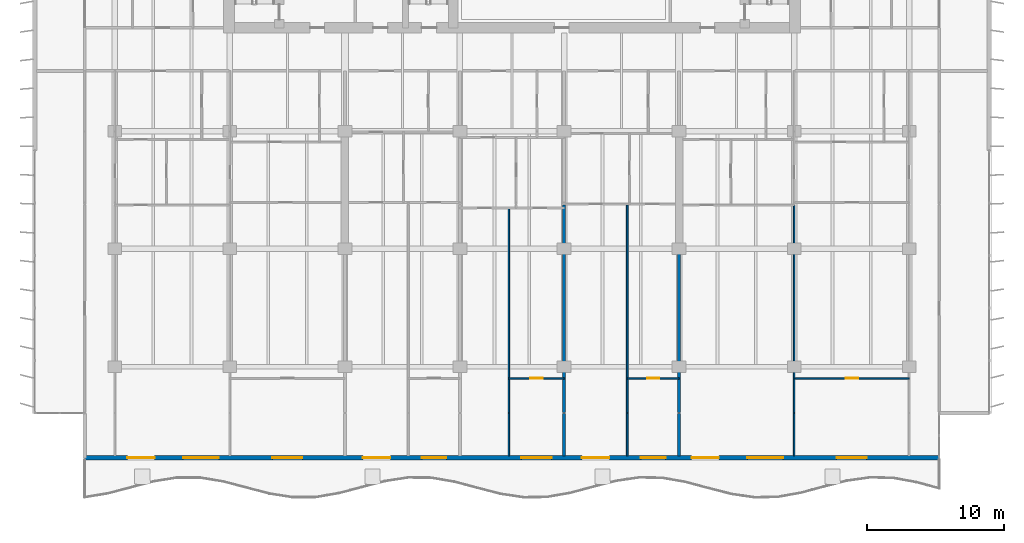
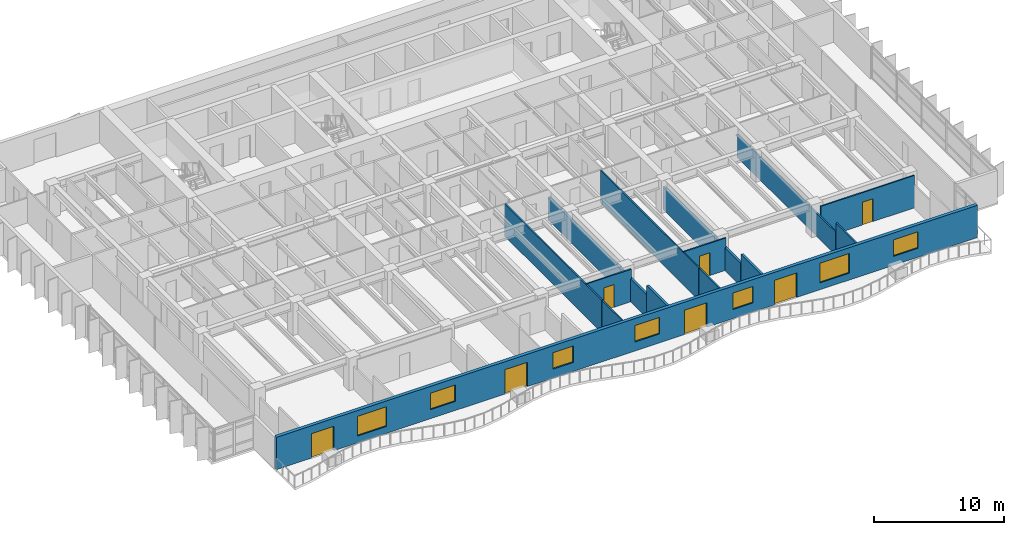
# One storey, part 8 of 19: 14 walls, 7 doors, 7 windows, 14 openings.
"""IFC4 building model written with IfcOpenShell, lengths in metres."""

import ifcopenshell
import ifcopenshell.guid

model = None  # the IFC model being written
_history = None  # IfcOwnerHistory: only IFC2X3 demands one
_inside = {}  # id of a spatial element -> (the spatial element, [elements in it])
_under = {}  # id of a project, library or spatial element -> (it, [spatial elements below it])
_declared = {}  # id of a project -> (the project, [libraries it declares])
_typed = {}  # id of a type object -> (the type object, [elements of that type])
_made_of = {}  # id of a material, layer set ... -> (it, [elements and type objects made of it])


def new_model(schema):
    """Start an empty IFC model of exactly this schema.

    Asked for "IFC4X3", IfcOpenShell would pick the latest addendum, in which some entities
    have other attributes; the version numbers below select the first issue.
    IFC2X3 requires an IfcOwnerHistory on every rooted entity: one is made here for all.
    """
    global model, _history
    if schema == "IFC4X3":
        model = ifcopenshell.file(schema_version=(4, 3, 0, 0))
    else:
        model = ifcopenshell.file(schema=schema)
    _inside.clear()
    _under.clear()
    _declared.clear()
    _typed.clear()
    _made_of.clear()
    _history = None
    if model.schema == "IFC2X3":
        org = make("IfcOrganization", Name="unknown")
        user = make(
            "IfcPersonAndOrganization",
            ThePerson=make("IfcPerson", FamilyName="unknown"),
            TheOrganization=org,
        )
        app = make(
            "IfcApplication",
            ApplicationDeveloper=org,
            Version="unknown",
            ApplicationFullName="unknown",
            ApplicationIdentifier="unknown",
        )
        _history = make(
            "IfcOwnerHistory",
            OwningUser=user,
            OwningApplication=app,
            ChangeAction="ADDED",
            CreationDate=0,
        )
    return model


def make(cls, **values):
    """One entity of the class cls with the attributes given. An attribute that is None is left unset."""
    return model.create_entity(
        cls, **{name: value for name, value in values.items() if value is not None}
    )


def rooted(cls, **values):
    """An entity with a GlobalId (a new one), such as an element, a storey or a relation."""
    return make(cls, GlobalId=ifcopenshell.guid.new(), OwnerHistory=_history, **values)


def si_unit(unit_type, name, prefix=None):
    """IfcSIUnit, for example si_unit("LENGTHUNIT", "METRE", prefix="MILLI")."""
    return make("IfcSIUnit", UnitType=unit_type, Prefix=prefix, Name=name)


def assignment(units):
    """IfcUnitAssignment: the units of a project."""
    return None if units is None else make("IfcUnitAssignment", Units=units)


def point(xyz):
    """IfcCartesianPoint."""
    return None if xyz is None else make("IfcCartesianPoint", Coordinates=xyz)


def direction(xyz):
    """IfcDirection."""
    return None if xyz is None else make("IfcDirection", DirectionRatios=xyz)


def frame(location, z_axis=None, x_axis=None):
    """IfcAxis2Placement3D, a coordinate frame: its origin and axes. An axis left out is left unset."""
    return make(
        "IfcAxis2Placement3D",
        Location=point(location),
        Axis=direction(z_axis),
        RefDirection=direction(x_axis),
    )


def frame_2d(location, x_axis=None):
    """IfcAxis2Placement2D, a coordinate frame in the plane: its origin and x axis."""
    return make(
        "IfcAxis2Placement2D", Location=point(location), RefDirection=direction(x_axis)
    )


def origin():
    """The frame at (0, 0, 0) with its axes left unset."""
    return frame((0.0, 0.0, 0.0))


def place(relative_to, where):
    """IfcLocalPlacement: puts the frame where relative to a parent placement (None: the world)."""
    return make(
        "IfcLocalPlacement", PlacementRelTo=relative_to, RelativePlacement=where
    )


def context(
    kind, dimensions, precision=None, world=None, true_north=None, identifier=None
):
    """IfcGeometricRepresentationContext, for example the 3D "Model" context."""
    return make(
        "IfcGeometricRepresentationContext",
        ContextIdentifier=identifier,
        ContextType=kind,
        CoordinateSpaceDimension=dimensions,
        Precision=precision,
        WorldCoordinateSystem=world,
        TrueNorth=true_north,
    )


def subcontext(parent, identifier, kind, view, scale=None):
    """IfcGeometricRepresentationSubContext, for example "Body" below "Model"."""
    return make(
        "IfcGeometricRepresentationSubContext",
        ContextIdentifier=identifier,
        ContextType=kind,
        ParentContext=parent,
        TargetScale=scale,
        TargetView=view,
    )


def project(units=None, contexts=None):
    """IfcProject with its units and contexts."""
    return rooted(
        "IfcProject",
        Name="project",
        RepresentationContexts=contexts,
        UnitsInContext=assignment(units),
    )


def spatial(cls, under=None, at=None, **own):
    """A site, building, storey or space (cls), placed at a placement, below another one or the project."""
    s = rooted(cls, ObjectPlacement=at, **own)
    if under is not None:
        _under.setdefault(under.id(), (under, []))[1].append(s)
    return s


def profile(cls, at=None, kind="AREA", **sizes):
    """A parametric profile (cls). Its sizes go by their IFC names, for example OverallWidth=200.0."""
    return make(cls, ProfileType=kind, Position=at, **sizes)


def rectangle(**sizes):
    """IfcRectangleProfileDef."""
    return profile("IfcRectangleProfileDef", **sizes)


def extrude(swept, where, along, depth):
    """IfcExtrudedAreaSolid: the profile swept, set in the frame where, extruded along a direction by depth."""
    return make(
        "IfcExtrudedAreaSolid",
        SweptArea=swept,
        Position=where,
        ExtrudedDirection=direction(along),
        Depth=depth,
    )


def shape(context_of_items, identifier, shape_type, items):
    """IfcShapeRepresentation: the items that make up one representation, for example the "Body"."""
    return make(
        "IfcShapeRepresentation",
        ContextOfItems=context_of_items,
        RepresentationIdentifier=identifier,
        RepresentationType=shape_type,
        Items=items,
    )


def material(Name=None, Category=None):
    """IfcMaterial."""
    return make("IfcMaterial", Name=Name, Category=Category)


def layer(
    of_material, thickness, ventilated=None, Name=None, Category=None, Priority=None
):
    """IfcMaterialLayer: one layer of a wall or slab, of a material (None: an air gap)."""
    return make(
        "IfcMaterialLayer",
        Material=of_material,
        LayerThickness=thickness,
        IsVentilated=ventilated,
        Name=Name,
        Category=Category,
        Priority=Priority,
    )


def layer_set(layers, Name=None):
    """IfcMaterialLayerSet."""
    return make("IfcMaterialLayerSet", MaterialLayers=layers, LayerSetName=Name)


def made_of(thing, what):
    """Note that an element or type object is made of a material, layer set ...; save() writes the relation."""
    if what is not None:
        _made_of.setdefault(what.id(), (what, []))[1].append(thing)
    return thing


def type_object(cls, material=None, **own):
    """A type object (cls), such as IfcWallType, which elements share."""
    return made_of(rooted(cls, **own), material)


def element(
    cls,
    number,
    at=None,
    inside=None,
    cuts=None,
    type_object=None,
    material=None,
    context=None,
    identifier="Body",
    shape_type=None,
    held_by="IfcProductDefinitionShape",
    body=None,
    shapes=None,
    **own,
):
    """One element of the class cls, such as IfcWall. Its Tag is "e" and its number.

    at: its placement. inside: the storey or other place that contains it. cuts: it is an
    opening in that element (IfcRelVoidsElement). A single representation is given by context,
    identifier, shape_type and body (its items); several are given by shapes. held_by: the class
    of the entity that holds the representations. save() writes the other relations.
    """
    e = rooted(cls, Tag="e%d" % number, ObjectPlacement=at, **own)
    if body is not None:
        shapes = [shape(context, identifier, shape_type, body)]
    if shapes is not None:
        e.Representation = make(held_by, Representations=shapes)
    if inside is not None:
        _inside.setdefault(inside.id(), (inside, []))[1].append(e)
    if cuts is not None:
        rooted(
            "IfcRelVoidsElement", RelatingBuildingElement=cuts, RelatedOpeningElement=e
        )
    if type_object is not None:
        _typed.setdefault(type_object.id(), (type_object, []))[1].append(e)
    return made_of(e, material)


def fill(opening, filler):
    """IfcRelFillsElement: the door or window that sits in an opening."""
    return rooted(
        "IfcRelFillsElement",
        RelatingOpeningElement=opening,
        RelatedBuildingElement=filler,
    )


def aggregate(whole, parts):
    """IfcRelAggregates: a whole, such as a stair, and the parts it consists of."""
    return rooted("IfcRelAggregates", RelatingObject=whole, RelatedObjects=parts)


def save(model, path):
    """Write the relations noted so far, then the file.

    IfcRelAggregates (storeys below a building ...), IfcRelContainedInSpatialStructure (elements
    in a storey), IfcRelDefinesByType, IfcRelAssociatesMaterial and IfcRelDeclares: one each for
    every whole, place, type object, material and project.
    """
    for whole, parts in _under.values():
        aggregate(whole, parts)
    for where, things in _inside.values():
        rooted(
            "IfcRelContainedInSpatialStructure",
            RelatedElements=things,
            RelatingStructure=where,
        )
    for kind, things in _typed.values():
        rooted("IfcRelDefinesByType", RelatedObjects=things, RelatingType=kind)
    for what, things in _made_of.values():
        rooted("IfcRelAssociatesMaterial", RelatedObjects=things, RelatingMaterial=what)
    for by, libraries in _declared.values():
        rooted("IfcRelDeclares", RelatingContext=by, RelatedDefinitions=libraries)
    model.write(path)


model = new_model("IFC4")

# Units and contexts
model_context = context("Model", 3, precision=1e-05, world=origin(), true_north=direction((0.0, 1.0)))
body_context = subcontext(model_context, "Body", "Model", "MODEL_VIEW")
ifc_project = project(units=[si_unit("LENGTHUNIT", "METRE"), si_unit("AREAUNIT", "SQUARE_METRE"), si_unit("VOLUMEUNIT", "CUBIC_METRE"), si_unit("PLANEANGLEUNIT", "RADIAN"), si_unit("MASSUNIT", "GRAM", prefix="KILO")], contexts=[model_context])

# Site, building, storey
site_placement = place(None, origin())
site = spatial("IfcSite", under=ifc_project, at=site_placement, CompositionType="ELEMENT")
building_placement = place(site_placement, origin())
building = spatial("IfcBuilding", under=site, at=building_placement, Name="Caelmar Bay Residences", CompositionType="ELEMENT")
storey_placement = place(building_placement, frame((0.0, 0.0, 91.199951171875)))
storey = spatial("IfcBuildingStorey", under=building, at=storey_placement, Name="L24", CompositionType="ELEMENT", Elevation=91.199951171875)

# Wall, openings, doors, windows
ifc_material_1 = material(Name="Precast concrete f'c 40 MPa (6,000 psi)", Category="concrete")
ifc_layer_1 = layer(ifc_material_1, 0.300048828125)
ifc_layer_set_1 = layer_set([ifc_layer_1], Name="Precast concrete f'c 40 MPa (6,000 psi)")
wall_type_1 = type_object("IfcWallType", Name="W-EXT-300", PredefinedType="STANDARD", material=ifc_layer_set_1)
wall_1_placement = place(storey_placement, frame((70.10009765625, 5.550048828125, 0.0), z_axis=(0.0, 0.0, 1.0), x_axis=(-1.0, 0.0, 0.0)))
wall_1 = element("IfcWall", 1, at=wall_1_placement, inside=storey, type_object=wall_type_1, Name="L24 South Bayfront Exterior Wall", PredefinedType="STANDARD", context=body_context, shape_type="SweptSolid", body=[
    extrude(rectangle(XDim=62.400146484375, YDim=0.300048828125, at=frame_2d((31.2001953125, 0.0))), origin(), (0.0, 0.0, 1.0), 3.050048828125),
])
opening_1_placement = place(wall_1_placement, frame((57.2900390625, 0.0, 0.0)))
opening_1 = element("IfcOpeningElement", 2, at=opening_1_placement, cuts=wall_1, Name="Opening L24-BD01", PredefinedType="OPENING", context=body_context, shape_type="SweptSolid", body=[
    extrude(rectangle(XDim=2.0, YDim=2.300048828125, at=frame_2d((1.0, 1.14990234375))), frame((0.0, 0.159912109375, 0.0), z_axis=(0.0, -1.0, 0.0), x_axis=(1.0, 0.0, 0.0)), (0.0, 0.0, 1.0), 0.320068359375),
])
opening_2_placement = place(wall_1_placement, frame((52.610107421875, 0.0, 0.64990234375)))
opening_2 = element("IfcOpeningElement", 3, at=opening_2_placement, cuts=wall_1, Name="Opening WN3", PredefinedType="OPENING", context=body_context, shape_type="SweptSolid", body=[
    extrude(rectangle(XDim=2.60009765625, YDim=1.85009765625, at=frame_2d((1.300048828125, 0.925048828125))), frame((0.0, 0.159912109375, 0.0), z_axis=(0.0, -1.0, 0.0), x_axis=(1.0, 0.0, 0.0)), (0.0, 0.0, 1.0), 0.320068359375),
])
opening_3_placement = place(wall_1_placement, frame((46.5, 0.0, 0.85009765625)))
opening_3 = element("IfcOpeningElement", 4, at=opening_3_placement, cuts=wall_1, Name="Opening WN2", PredefinedType="OPENING", context=body_context, shape_type="SweptSolid", body=[
    extrude(rectangle(XDim=2.199951171875, YDim=1.550048828125, at=frame_2d((1.10009765625, 0.77490234375))), frame((0.0, 0.159912109375, 0.0), z_axis=(0.0, -1.0, 0.0), x_axis=(1.0, 0.0, 0.0)), (0.0, 0.0, 1.0), 0.320068359375),
])
opening_4_placement = place(wall_1_placement, frame((40.090087890625, 0.0, 0.0)))
opening_4 = element("IfcOpeningElement", 5, at=opening_4_placement, cuts=wall_1, Name="Opening L24-BD02", PredefinedType="OPENING", context=body_context, shape_type="SweptSolid", body=[
    extrude(rectangle(XDim=2.0, YDim=2.300048828125, at=frame_2d((1.0, 1.14990234375))), frame((0.0, 0.159912109375, 0.0), z_axis=(0.0, -1.0, 0.0), x_axis=(1.0, 0.0, 0.0)), (0.0, 0.0, 1.0), 0.320068359375),
])
opening_5_placement = place(wall_1_placement, frame((35.989990234375, 0.0, 0.85009765625)))
opening_5 = element("IfcOpeningElement", 6, at=opening_5_placement, cuts=wall_1, Name="Opening WN1", PredefinedType="OPENING", context=body_context, shape_type="SweptSolid", body=[
    extrude(rectangle(XDim=1.800048828125, YDim=1.550048828125, at=frame_2d((0.89990234375, 0.77490234375))), frame((0.0, 0.159912109375, 0.0), z_axis=(0.0, -1.0, 0.0), x_axis=(1.0, 0.0, 0.0)), (0.0, 0.0, 1.0), 0.320068359375),
])
opening_6_placement = place(wall_1_placement, frame((28.31396484375, 0.0, 0.85009765625)))
opening_6 = element("IfcOpeningElement", 7, at=opening_6_placement, cuts=wall_1, Name="Opening WN2", PredefinedType="OPENING", context=body_context, shape_type="SweptSolid", body=[
    extrude(rectangle(XDim=2.199951171875, YDim=1.550048828125, at=frame_2d((1.10009765625, 0.77490234375))), frame((0.0, 0.159912109375, 0.0), z_axis=(0.0, -1.0, 0.0), x_axis=(1.0, 0.0, 0.0)), (0.0, 0.0, 1.0), 0.320068359375),
])
opening_7_placement = place(wall_1_placement, frame((24.090087890625, 0.0, 0.0)))
opening_7 = element("IfcOpeningElement", 8, at=opening_7_placement, cuts=wall_1, Name="Opening L24-BD03", PredefinedType="OPENING", context=body_context, shape_type="SweptSolid", body=[
    extrude(rectangle(XDim=2.0, YDim=2.300048828125, at=frame_2d((1.0, 1.14990234375))), frame((0.0, 0.159912109375, 0.0), z_axis=(0.0, -1.0, 0.0), x_axis=(1.0, 0.0, 0.0)), (0.0, 0.0, 1.0), 0.320068359375),
])
opening_8_placement = place(wall_1_placement, frame((19.989990234375, 0.0, 0.85009765625)))
opening_8 = element("IfcOpeningElement", 9, at=opening_8_placement, cuts=wall_1, Name="Opening WN1", PredefinedType="OPENING", context=body_context, shape_type="SweptSolid", body=[
    extrude(rectangle(XDim=1.800048828125, YDim=1.550048828125, at=frame_2d((0.89990234375, 0.77490234375))), frame((0.0, 0.159912109375, 0.0), z_axis=(0.0, -1.0, 0.0), x_axis=(1.0, 0.0, 0.0)), (0.0, 0.0, 1.0), 0.320068359375),
])
opening_9_placement = place(wall_1_placement, frame((16.090087890625, 0.0, 0.0)))
opening_9 = element("IfcOpeningElement", 10, at=opening_9_placement, cuts=wall_1, Name="Opening L24-BD04", PredefinedType="OPENING", context=body_context, shape_type="SweptSolid", body=[
    extrude(rectangle(XDim=2.0, YDim=2.300048828125, at=frame_2d((1.0, 1.14990234375))), frame((0.0, 0.159912109375, 0.0), z_axis=(0.0, -1.0, 0.0), x_axis=(1.0, 0.0, 0.0)), (0.0, 0.0, 1.0), 0.320068359375),
])
opening_10_placement = place(wall_1_placement, frame((11.409912109375, 0.0, 0.64990234375)))
opening_10 = element("IfcOpeningElement", 11, at=opening_10_placement, cuts=wall_1, Name="Opening WN3", PredefinedType="OPENING", context=body_context, shape_type="SweptSolid", body=[
    extrude(rectangle(XDim=2.60009765625, YDim=1.85009765625, at=frame_2d((1.300048828125, 0.925048828125))), frame((0.0, 0.159912109375, 0.0), z_axis=(0.0, -1.0, 0.0), x_axis=(1.0, 0.0, 0.0)), (0.0, 0.0, 1.0), 0.320068359375),
])
opening_11_placement = place(wall_1_placement, frame((5.300048828125, 0.0, 0.85009765625)))
opening_11 = element("IfcOpeningElement", 12, at=opening_11_placement, cuts=wall_1, Name="Opening WN2", PredefinedType="OPENING", context=body_context, shape_type="SweptSolid", body=[
    extrude(rectangle(XDim=2.199951171875, YDim=1.550048828125, at=frame_2d((1.10009765625, 0.77490234375))), frame((0.0, 0.159912109375, 0.0), z_axis=(0.0, -1.0, 0.0), x_axis=(1.0, 0.0, 0.0)), (0.0, 0.0, 1.0), 0.320068359375),
])
ifc_material_2 = material(Name="Anodised bronze thermally broken sliding glass door", Category="glass")
ifc_layer_2 = layer(ifc_material_2, 0.050048828125)
ifc_layer_set_2 = layer_set([ifc_layer_2], Name="Anodised bronze thermally broken sliding glass door")
door_type_1 = type_object("IfcDoorType", Name="D-BAL-2000", OperationType="DOUBLE_DOOR_SLIDING", PredefinedType="DOOR", material=ifc_layer_set_2)
door_1_placement = place(opening_1_placement, origin())
door_1 = element("IfcDoor", 13, at=door_1_placement, inside=storey, type_object=door_type_1, Name="L24 Residence 01 Penthouse Living Salon Balcony Door", OperationType="DOUBLE_DOOR_SLIDING", OverallHeight=2.300048828125, OverallWidth=2.0, PredefinedType="DOOR", context=body_context, shape_type="SweptSolid", body=[
    extrude(rectangle(XDim=2.0, YDim=2.300048828125, at=frame_2d((1.0, 1.14990234375))), frame((0.0, 0.02490234375, 0.0), z_axis=(0.0, -1.0, 0.0), x_axis=(1.0, 0.0, 0.0)), (0.0, 0.0, 1.0), 0.050048828125),
])
fill(opening_1, door_1)
door_2_placement = place(opening_4_placement, origin())
door_2 = element("IfcDoor", 14, at=door_2_placement, inside=storey, type_object=door_type_1, Name="L24 Residence 02 Penthouse Living Salon Balcony Door", OperationType="DOUBLE_DOOR_SLIDING", OverallHeight=2.300048828125, OverallWidth=2.0, PredefinedType="DOOR", context=body_context, shape_type="SweptSolid", body=[
    extrude(rectangle(XDim=2.0, YDim=2.300048828125, at=frame_2d((1.0, 1.14990234375))), frame((0.0, 0.02490234375, 0.0), z_axis=(0.0, -1.0, 0.0), x_axis=(1.0, 0.0, 0.0)), (0.0, 0.0, 1.0), 0.050048828125),
])
fill(opening_4, door_2)
door_3_placement = place(opening_7_placement, origin())
door_3 = element("IfcDoor", 15, at=door_3_placement, inside=storey, type_object=door_type_1, Name="L24 Residence 04 Penthouse Living Salon Balcony Door", OperationType="DOUBLE_DOOR_SLIDING", OverallHeight=2.300048828125, OverallWidth=2.0, PredefinedType="DOOR", context=body_context, shape_type="SweptSolid", body=[
    extrude(rectangle(XDim=2.0, YDim=2.300048828125, at=frame_2d((1.0, 1.14990234375))), frame((0.0, 0.02490234375, 0.0), z_axis=(0.0, -1.0, 0.0), x_axis=(1.0, 0.0, 0.0)), (0.0, 0.0, 1.0), 0.050048828125),
])
fill(opening_7, door_3)
door_4_placement = place(opening_9_placement, origin())
door_4 = element("IfcDoor", 16, at=door_4_placement, inside=storey, type_object=door_type_1, Name="L24 Residence 05 Penthouse Living Salon Balcony Door", OperationType="DOUBLE_DOOR_SLIDING", OverallHeight=2.300048828125, OverallWidth=2.0, PredefinedType="DOOR", context=body_context, shape_type="SweptSolid", body=[
    extrude(rectangle(XDim=2.0, YDim=2.300048828125, at=frame_2d((1.0, 1.14990234375))), frame((0.0, 0.02490234375, 0.0), z_axis=(0.0, -1.0, 0.0), x_axis=(1.0, 0.0, 0.0)), (0.0, 0.0, 1.0), 0.050048828125),
])
fill(opening_9, door_4)
ifc_material_3 = material(Name="Bronze aluminium frame with laminated low-E glass", Category="aluminium")
ifc_layer_3 = layer(ifc_material_3, 0.06005859375)
ifc_layer_set_3 = layer_set([ifc_layer_3], Name="Bronze aluminium frame with laminated low-E glass")
window_type_1 = type_object("IfcWindowType", Name="WIN-BR-1800", PartitioningType="SINGLE_PANEL", PredefinedType="WINDOW", material=ifc_layer_set_3)
window_1_placement = place(opening_5_placement, origin())
window_1 = element("IfcWindow", 17, at=window_1_placement, inside=storey, type_object=window_type_1, Name="L24 Residence 02 Primary Bedroom Window", OverallHeight=1.550048828125, OverallWidth=1.800048828125, PartitioningType="SINGLE_PANEL", PredefinedType="WINDOW", context=body_context, shape_type="SweptSolid", body=[
    extrude(rectangle(XDim=1.800048828125, YDim=1.550048828125, at=frame_2d((0.89990234375, 0.77490234375))), frame((0.0, 0.030029296875, 0.0), z_axis=(0.0, -1.0, 0.0), x_axis=(1.0, 0.0, 0.0)), (0.0, 0.0, 1.0), 0.06005859375),
])
fill(opening_5, window_1)
window_2_placement = place(opening_8_placement, origin())
window_2 = element("IfcWindow", 18, at=window_2_placement, inside=storey, type_object=window_type_1, Name="L24 Residence 04 Primary Bedroom Window", OverallHeight=1.550048828125, OverallWidth=1.800048828125, PartitioningType="SINGLE_PANEL", PredefinedType="WINDOW", context=body_context, shape_type="SweptSolid", body=[
    extrude(rectangle(XDim=1.800048828125, YDim=1.550048828125, at=frame_2d((0.89990234375, 0.77490234375))), frame((0.0, 0.030029296875, 0.0), z_axis=(0.0, -1.0, 0.0), x_axis=(1.0, 0.0, 0.0)), (0.0, 0.0, 1.0), 0.06005859375),
])
fill(opening_8, window_2)
ifc_layer_4 = layer(ifc_material_3, 0.06005859375)
ifc_layer_set_4 = layer_set([ifc_layer_4], Name="Bronze aluminium frame with laminated low-E glass")
window_type_2 = type_object("IfcWindowType", Name="WIN-BR-2200", PartitioningType="SINGLE_PANEL", PredefinedType="WINDOW", material=ifc_layer_set_4)
window_3_placement = place(opening_3_placement, origin())
window_3 = element("IfcWindow", 19, at=window_3_placement, inside=storey, type_object=window_type_2, Name="L24 Residence 01 Primary Bedroom 1 Window", OverallHeight=1.550048828125, OverallWidth=2.199951171875, PartitioningType="SINGLE_PANEL", PredefinedType="WINDOW", context=body_context, shape_type="SweptSolid", body=[
    extrude(rectangle(XDim=2.199951171875, YDim=1.550048828125, at=frame_2d((1.10009765625, 0.77490234375))), frame((0.0, 0.030029296875, 0.0), z_axis=(0.0, -1.0, 0.0), x_axis=(1.0, 0.0, 0.0)), (0.0, 0.0, 1.0), 0.06005859375),
])
fill(opening_3, window_3)
window_4_placement = place(opening_6_placement, origin())
window_4 = element("IfcWindow", 20, at=window_4_placement, inside=storey, type_object=window_type_2, Name="L24 Residence 03 Primary Bedroom Window", OverallHeight=1.550048828125, OverallWidth=2.199951171875, PartitioningType="SINGLE_PANEL", PredefinedType="WINDOW", context=body_context, shape_type="SweptSolid", body=[
    extrude(rectangle(XDim=2.199951171875, YDim=1.550048828125, at=frame_2d((1.10009765625, 0.77490234375))), frame((0.0, 0.030029296875, 0.0), z_axis=(0.0, -1.0, 0.0), x_axis=(1.0, 0.0, 0.0)), (0.0, 0.0, 1.0), 0.06005859375),
])
fill(opening_6, window_4)
window_5_placement = place(opening_11_placement, origin())
window_5 = element("IfcWindow", 21, at=window_5_placement, inside=storey, type_object=window_type_2, Name="L24 Residence 05 Primary Bedroom 1 Window", OverallHeight=1.550048828125, OverallWidth=2.199951171875, PartitioningType="SINGLE_PANEL", PredefinedType="WINDOW", context=body_context, shape_type="SweptSolid", body=[
    extrude(rectangle(XDim=2.199951171875, YDim=1.550048828125, at=frame_2d((1.10009765625, 0.77490234375))), frame((0.0, 0.030029296875, 0.0), z_axis=(0.0, -1.0, 0.0), x_axis=(1.0, 0.0, 0.0)), (0.0, 0.0, 1.0), 0.06005859375),
])
fill(opening_11, window_5)
ifc_layer_5 = layer(ifc_material_3, 0.06005859375)
ifc_layer_set_5 = layer_set([ifc_layer_5], Name="Bronze aluminium frame with laminated low-E glass")
window_type_3 = type_object("IfcWindowType", Name="WIN-LIV-2600", PartitioningType="SINGLE_PANEL", PredefinedType="WINDOW", material=ifc_layer_set_5)
window_6_placement = place(opening_2_placement, origin())
window_6 = element("IfcWindow", 22, at=window_6_placement, inside=storey, type_object=window_type_3, Name="L24 Residence 01 Penthouse Living Salon Panoramic Window", OverallHeight=1.85009765625, OverallWidth=2.60009765625, PartitioningType="SINGLE_PANEL", PredefinedType="WINDOW", context=body_context, shape_type="SweptSolid", body=[
    extrude(rectangle(XDim=2.60009765625, YDim=1.85009765625, at=frame_2d((1.300048828125, 0.925048828125))), frame((0.0, 0.030029296875, 0.0), z_axis=(0.0, -1.0, 0.0), x_axis=(1.0, 0.0, 0.0)), (0.0, 0.0, 1.0), 0.06005859375),
])
fill(opening_2, window_6)
window_7_placement = place(opening_10_placement, origin())
window_7 = element("IfcWindow", 23, at=window_7_placement, inside=storey, type_object=window_type_3, Name="L24 Residence 05 Penthouse Living Salon Panoramic Window", OverallHeight=1.85009765625, OverallWidth=2.60009765625, PartitioningType="SINGLE_PANEL", PredefinedType="WINDOW", context=body_context, shape_type="SweptSolid", body=[
    extrude(rectangle(XDim=2.60009765625, YDim=1.85009765625, at=frame_2d((1.300048828125, 0.925048828125))), frame((0.0, 0.030029296875, 0.0), z_axis=(0.0, -1.0, 0.0), x_axis=(1.0, 0.0, 0.0)), (0.0, 0.0, 1.0), 0.06005859375),
])
fill(opening_10, window_7)

# Walls
ifc_material_4 = material(Name="Acoustic metal-stud gypsum partition 120 mm")
ifc_layer_6 = layer(ifc_material_4, 0.1201171875)
ifc_layer_set_6 = layer_set([ifc_layer_6], Name="Acoustic metal-stud gypsum partition 120 mm")
wall_type_2 = type_object("IfcWallType", Name="W-PRT-120", PredefinedType="PARTITIONING", material=ifc_layer_set_6)
wall_2_placement = place(storey_placement, frame((38.672119140625, 5.695068359375, 0.0), z_axis=(0.0, 0.0, 1.0), x_axis=(0.0, 1.0, 0.0)))
element("IfcWall", 24, at=wall_2_placement, inside=storey, type_object=wall_type_2, Name="L24 Partition Wall V044", PredefinedType="PARTITIONING", context=body_context, shape_type="SweptSolid", body=[
    extrude(rectangle(XDim=3.10498046875, YDim=0.1201171875, at=frame_2d((1.552490234375, 0.0))), origin(), (0.0, 0.0, 1.0), 3.050048828125),
])
wall_3_placement = place(storey_placement, frame((38.672119140625, 8.840087890625, 0.0), z_axis=(0.0, 0.0, 1.0), x_axis=(0.0, 1.0, 0.0)))
element("IfcWall", 25, at=wall_3_placement, inside=storey, type_object=wall_type_2, Name="L24 Partition Wall V045", PredefinedType="PARTITIONING", context=body_context, shape_type="SweptSolid", body=[
    extrude(rectangle(XDim=14.949951171875, YDim=0.1201171875, at=frame_2d((7.47509765625, 0.0))), origin(), (0.0, 0.0, 1.0), 3.050048828125),
])
wall_4_placement = place(storey_placement, frame((47.320068359375, 5.695068359375, 0.0), z_axis=(0.0, 0.0, 1.0), x_axis=(0.0, 1.0, 0.0)))
element("IfcWall", 26, at=wall_4_placement, inside=storey, type_object=wall_type_2, Name="L24 Partition Wall V060", PredefinedType="PARTITIONING", context=body_context, shape_type="SweptSolid", body=[
    extrude(rectangle(XDim=3.10498046875, YDim=0.1201171875, at=frame_2d((1.552490234375, 0.0))), origin(), (0.0, 0.0, 1.0), 3.050048828125),
])
wall_5_placement = place(storey_placement, frame((47.320068359375, 8.840087890625, 0.0), z_axis=(0.0, 0.0, 1.0), x_axis=(0.0, 1.0, 0.0)))
element("IfcWall", 27, at=wall_5_placement, inside=storey, type_object=wall_type_2, Name="L24 Partition Wall V061", PredefinedType="PARTITIONING", context=body_context, shape_type="SweptSolid", body=[
    extrude(rectangle(XDim=15.159912109375, YDim=0.1201171875, at=frame_2d((7.580078125, 0.0))), origin(), (0.0, 0.0, 1.0), 3.050048828125),
])
wall_6_placement = place(storey_placement, frame((59.5, 5.695068359375, 0.0), z_axis=(0.0, 0.0, 1.0), x_axis=(0.0, 1.0, 0.0)))
element("IfcWall", 28, at=wall_6_placement, inside=storey, type_object=wall_type_2, Name="L24 Partition Wall V078", PredefinedType="PARTITIONING", context=body_context, shape_type="SweptSolid", body=[
    extrude(rectangle(XDim=3.10498046875, YDim=0.1201171875, at=frame_2d((1.552490234375, 0.0))), origin(), (0.0, 0.0, 1.0), 3.050048828125),
])
wall_7_placement = place(storey_placement, frame((59.5, 8.840087890625, 0.0), z_axis=(0.0, 0.0, 1.0), x_axis=(0.0, 1.0, 0.0)))
element("IfcWall", 29, at=wall_7_placement, inside=storey, type_object=wall_type_2, Name="L24 Partition Wall V079", PredefinedType="PARTITIONING", context=body_context, shape_type="SweptSolid", body=[
    extrude(rectangle(XDim=15.159912109375, YDim=0.1201171875, at=frame_2d((7.580078125, 0.0))), origin(), (0.0, 0.0, 1.0), 2.174072265625),
])

# Wall, opening, door
wall_8_placement = place(storey_placement, frame((38.672119140625, 11.35009765625, 0.0), z_axis=(0.0, 0.0, 1.0), x_axis=(1.0, 0.0, 0.0)))
wall_8 = element("IfcWall", 30, at=wall_8_placement, inside=storey, type_object=wall_type_2, Name="L24 Partition Wall H101", PredefinedType="PARTITIONING", context=body_context, shape_type="SweptSolid", body=[
    extrude(rectangle(XDim=4.02783203125, YDim=0.1201171875, at=frame_2d((2.013916015625, 0.0))), origin(), (0.0, 0.0, 1.0), 3.050048828125),
])
opening_12_placement = place(wall_8_placement, frame((1.56396484375, 0.0, 0.0)))
opening_12 = element("IfcOpeningElement", 31, at=opening_12_placement, cuts=wall_8, Name="Opening D-L24-143", PredefinedType="OPENING", context=body_context, shape_type="SweptSolid", body=[
    extrude(rectangle(XDim=0.89990234375, YDim=2.14990234375, at=frame_2d((0.449951171875, 1.074951171875))), frame((0.0, 0.070068359375, 0.0), z_axis=(0.0, -1.0, 0.0), x_axis=(1.0, 0.0, 0.0)), (0.0, 0.0, 1.0), 0.14013671875),
])
ifc_material_5 = material(Name="Solid walnut timber interior door leaf and frame", Category="wood")
ifc_layer_7 = layer(ifc_material_5, 0.050048828125)
ifc_layer_set_7 = layer_set([ifc_layer_7], Name="Solid walnut timber interior door leaf and frame")
door_type_2 = type_object("IfcDoorType", Name="D-ROOM-900", OperationType="NOTDEFINED", PredefinedType="DOOR", material=ifc_layer_set_7)
door_5_placement = place(opening_12_placement, origin())
door_5 = element("IfcDoor", 32, at=door_5_placement, inside=storey, type_object=door_type_2, Name="L24 Residence 03 Primary Bedroom Door", OperationType="SINGLE_SWING_RIGHT", OverallHeight=2.14990234375, OverallWidth=0.89990234375, PredefinedType="DOOR", context=body_context, shape_type="SweptSolid", body=[
    extrude(rectangle(XDim=0.89990234375, YDim=2.14990234375, at=frame_2d((0.449951171875, 1.074951171875))), frame((0.0, 0.02490234375, 0.0), z_axis=(0.0, -1.0, 0.0), x_axis=(1.0, 0.0, 0.0)), (0.0, 0.0, 1.0), 0.050048828125),
])
fill(opening_12, door_5)

wall_9_placement = place(storey_placement, frame((47.320068359375, 11.35009765625, 0.0), z_axis=(0.0, 0.0, 1.0), x_axis=(1.0, 0.0, 0.0)))
wall_9 = element("IfcWall", 33, at=wall_9_placement, inside=storey, type_object=wall_type_2, Name="L24 Partition Wall H102", PredefinedType="PARTITIONING", context=body_context, shape_type="SweptSolid", body=[
    extrude(rectangle(XDim=3.780029296875, YDim=0.1201171875, at=frame_2d((1.89013671875, 0.0))), origin(), (0.0, 0.0, 1.0), 3.050048828125),
])
opening_13_placement = place(wall_9_placement, frame((1.43994140625, 0.0, 0.0)))
opening_13 = element("IfcOpeningElement", 34, at=opening_13_placement, cuts=wall_9, Name="Opening D-L24-150", PredefinedType="OPENING", context=body_context, shape_type="SweptSolid", body=[
    extrude(rectangle(XDim=0.89990234375, YDim=2.14990234375, at=frame_2d((0.449951171875, 1.074951171875))), frame((0.0, 0.070068359375, 0.0), z_axis=(0.0, -1.0, 0.0), x_axis=(1.0, 0.0, 0.0)), (0.0, 0.0, 1.0), 0.14013671875),
])
door_6_placement = place(opening_13_placement, origin())
door_6 = element("IfcDoor", 35, at=door_6_placement, inside=storey, type_object=door_type_2, Name="L24 Residence 04 Primary Bedroom Door", OperationType="SINGLE_SWING_LEFT", OverallHeight=2.14990234375, OverallWidth=0.89990234375, PredefinedType="DOOR", context=body_context, shape_type="SweptSolid", body=[
    extrude(rectangle(XDim=0.89990234375, YDim=2.14990234375, at=frame_2d((0.449951171875, 1.074951171875))), frame((0.0, 0.02490234375, 0.0), z_axis=(0.0, -1.0, 0.0), x_axis=(1.0, 0.0, 0.0)), (0.0, 0.0, 1.0), 0.050048828125),
])
fill(opening_13, door_6)

wall_10_placement = place(storey_placement, frame((59.550048828125, 11.35009765625, 0.0), z_axis=(0.0, 0.0, 1.0), x_axis=(1.0, 0.0, 0.0)))
wall_10 = element("IfcWall", 36, at=wall_10_placement, inside=storey, type_object=wall_type_2, Name="L24 Partition Wall H103", PredefinedType="PARTITIONING", context=body_context, shape_type="SweptSolid", body=[
    extrude(rectangle(XDim=8.349853515625, YDim=0.1201171875, at=frame_2d((4.1748046875, 0.0))), origin(), (0.0, 0.0, 1.0), 3.050048828125),
])
opening_14_placement = place(wall_10_placement, frame((3.72509765625, 0.0, 0.0)))
opening_14 = element("IfcOpeningElement", 37, at=opening_14_placement, cuts=wall_10, Name="Opening D-L24-160", PredefinedType="OPENING", context=body_context, shape_type="SweptSolid", body=[
    extrude(rectangle(XDim=0.89990234375, YDim=2.14990234375, at=frame_2d((0.449951171875, 1.074951171875))), frame((0.0, 0.070068359375, 0.0), z_axis=(0.0, -1.0, 0.0), x_axis=(1.0, 0.0, 0.0)), (0.0, 0.0, 1.0), 0.14013671875),
])
door_7_placement = place(opening_14_placement, origin())
door_7 = element("IfcDoor", 38, at=door_7_placement, inside=storey, type_object=door_type_2, Name="L24 Residence 05 Primary Bedroom 1 Door", OperationType="SINGLE_SWING_LEFT", OverallHeight=2.14990234375, OverallWidth=0.89990234375, PredefinedType="DOOR", context=body_context, shape_type="SweptSolid", body=[
    extrude(rectangle(XDim=0.89990234375, YDim=2.14990234375, at=frame_2d((0.449951171875, 1.074951171875))), frame((0.0, 0.02490234375, 0.0), z_axis=(0.0, -1.0, 0.0), x_axis=(1.0, 0.0, 0.0)), (0.0, 0.0, 1.0), 0.050048828125),
])
fill(opening_14, door_7)

# Walls
ifc_material_6 = material(Name="Acoustic twin-stud fire-rated inter-tenancy partition 200 mm")
ifc_layer_8 = layer(ifc_material_6, 0.199951171875)
ifc_layer_set_8 = layer_set([ifc_layer_8], Name="Acoustic twin-stud fire-rated inter-tenancy partition 200 mm")
wall_type_3 = type_object("IfcWallType", Name="W-PTY-200", PredefinedType="PARTITIONING", material=ifc_layer_set_8)
wall_11_placement = place(storey_placement, frame((42.699951171875, 5.695068359375, 0.0), z_axis=(0.0, 0.0, 1.0), x_axis=(0.0, 1.0, 0.0)))
element("IfcWall", 39, at=wall_11_placement, inside=storey, type_object=wall_type_3, Name="L24 Partition Wall V053", PredefinedType="PARTITIONING", context=body_context, shape_type="SweptSolid", body=[
    extrude(rectangle(XDim=3.10498046875, YDim=0.199951171875, at=frame_2d((1.552490234375, 0.0))), origin(), (0.0, 0.0, 1.0), 3.050048828125),
])
wall_12_placement = place(storey_placement, frame((42.699951171875, 8.840087890625, 0.0), z_axis=(0.0, 0.0, 1.0), x_axis=(0.0, 1.0, 0.0)))
element("IfcWall", 40, at=wall_12_placement, inside=storey, type_object=wall_type_3, Name="L24 Partition Wall V054", PredefinedType="PARTITIONING", context=body_context, shape_type="SweptSolid", body=[
    extrude(rectangle(XDim=15.159912109375, YDim=0.199951171875, at=frame_2d((7.580078125, 0.0))), origin(), (0.0, 0.0, 1.0), 2.174072265625),
])
wall_13_placement = place(storey_placement, frame((51.10009765625, 5.695068359375, 0.0), z_axis=(0.0, 0.0, 1.0), x_axis=(0.0, 1.0, 0.0)))
element("IfcWall", 41, at=wall_13_placement, inside=storey, type_object=wall_type_3, Name="L24 Partition Wall V069", PredefinedType="PARTITIONING", context=body_context, shape_type="SweptSolid", body=[
    extrude(rectangle(XDim=3.10498046875, YDim=0.199951171875, at=frame_2d((1.552490234375, 0.0))), origin(), (0.0, 0.0, 1.0), 3.050048828125),
])
wall_14_placement = place(storey_placement, frame((51.10009765625, 8.840087890625, 0.0), z_axis=(0.0, 0.0, 1.0), x_axis=(0.0, 1.0, 0.0)))
element("IfcWall", 42, at=wall_14_placement, inside=storey, type_object=wall_type_3, Name="L24 Partition Wall V070", PredefinedType="PARTITIONING", context=body_context, shape_type="SweptSolid", body=[
    extrude(rectangle(XDim=11.954833984375, YDim=0.199951171875, at=frame_2d((5.9775390625, 0.0))), origin(), (0.0, 0.0, 1.0), 2.174072265625),
])

save(model, "model.ifc")
